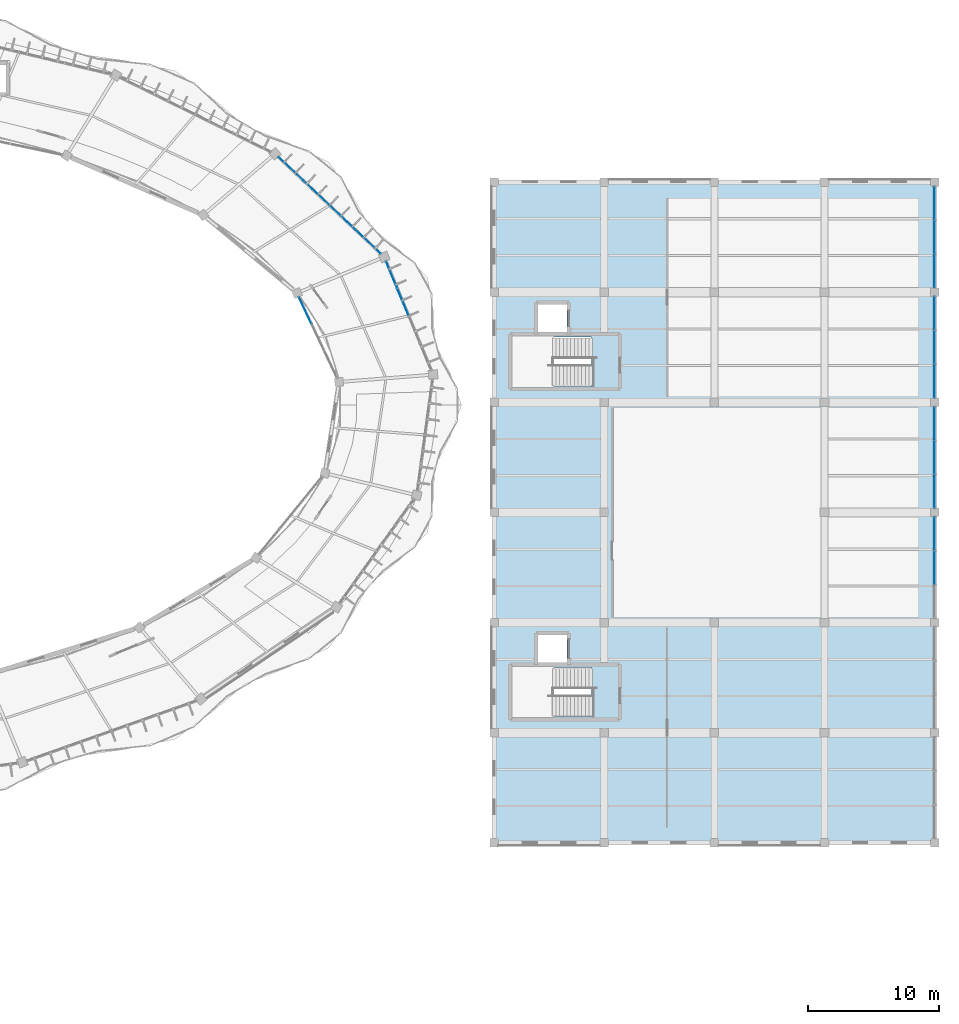
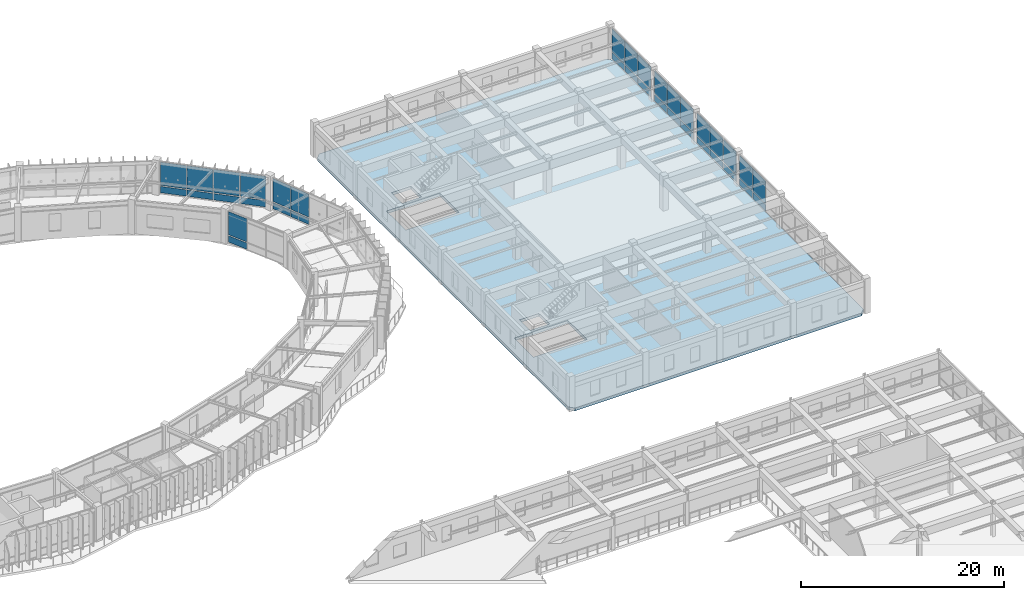
# One storey, part 108 of 138: 36 plates, 1 slab, 7 elements without a shape of their own.
"""IFC4 building model written with IfcOpenShell, lengths in metres."""

from ifc_helpers import new_model, si_unit, direction, frame, origin, origin_2d, place, context, subcontext, project, spatial, polyline, rectangle, outline, extrude, material, layer, layer_set, type_object, element, aggregate, save


model = new_model("IFC4")

# Units and contexts
model_context = context("Model", 3, precision=1e-05, world=origin(), true_north=direction((0.0, 1.0)))
body_context = subcontext(model_context, "Body", "Model", "MODEL_VIEW")
ifc_project = project(units=[si_unit("LENGTHUNIT", "METRE"), si_unit("AREAUNIT", "SQUARE_METRE"), si_unit("VOLUMEUNIT", "CUBIC_METRE"), si_unit("PLANEANGLEUNIT", "RADIAN"), si_unit("MASSUNIT", "GRAM", prefix="KILO"), si_unit("THERMODYNAMICTEMPERATUREUNIT", "KELVIN"), si_unit("POWERUNIT", "WATT")], contexts=[model_context])

# Site, building, storey
site_placement = place(None, origin())
site = spatial("IfcSite", under=ifc_project, at=site_placement, CompositionType="ELEMENT")
building_placement = place(site_placement, origin())
building = spatial("IfcBuilding", under=site, at=building_placement, Name="Darbajah Civic Hall", CompositionType="ELEMENT")
storey_placement = place(building_placement, frame((0.0, 0.0, 9.60009765625)))
storey = spatial("IfcBuildingStorey", under=building, at=storey_placement, Name="L02", CompositionType="ELEMENT", Elevation=9.60009765625)

# Curtain wall, plates
ifc_material_1 = material(Name="Anodised Bronze Aluminium and Low-E Glazing", Category="aluminium")
curtain_wall_type_1 = type_object("IfcCurtainWallType", Name="Unitised Curtain Wall CW-38 6800x3900", PredefinedType="USERDEFINED", material=ifc_material_1)
curtain_wall_1_placement = place(storey_placement, origin())
curtain_wall_1 = element("IfcCurtainWall", 1, at=curtain_wall_1_placement, inside=storey, type_object=curtain_wall_type_1, Name="L02 unitised curtain wall CW-V1I-L02-00", ObjectType="UNITISED CURTAIN WALL", PredefinedType="USERDEFINED")
ifc_material_2 = material(Name="Low-E Solar Control Double Glazing", Category="glass")
ifc_layer_1 = layer(ifc_material_2, 0.028076171875, Name="Low-E Solar Control Double Glazing")
ifc_layer_set_1 = layer_set([ifc_layer_1], Name="Low-E Solar Control Double Glazing")
plate_type_1 = type_object("IfcPlateType", Name="Solar Double Glazing 28mm", PredefinedType="CURTAIN_PANEL", material=ifc_layer_set_1)
plate_1_placement = place(storey_placement, frame((130.19189453125, 97.005859375, 0.119873046875), z_axis=(0.0, 0.0, 1.0), x_axis=(-0.426568739901, 0.904455145454, 0.0)))
plate_1 = element("IfcPlate", 2, at=plate_1_placement, type_object=plate_type_1, Name="CW-V1I-L02-00 glazed panel 3.1", PredefinedType="CURTAIN_PANEL", context=body_context, shape_type="SweptSolid", body=[
    extrude(rectangle(XDim=2.212158203125, YDim=0.028076171875, at=origin_2d()), origin(), (0.0, 0.0, 1.0), 0.77001953125),
])
plate_2_placement = place(storey_placement, frame((130.19189453125, 97.005859375, 1.009765625), z_axis=(0.0, 0.0, 1.0), x_axis=(-0.426568739901, 0.904455145454, 0.0)))
plate_2 = element("IfcPlate", 3, at=plate_2_placement, type_object=plate_type_1, Name="CW-V1I-L02-00 glazed panel 3.2", PredefinedType="CURTAIN_PANEL", context=body_context, shape_type="SweptSolid", body=[
    extrude(rectangle(XDim=2.212158203125, YDim=0.028076171875, at=origin_2d()), origin(), (0.0, 0.0, 1.0), 2.7900390625),
])
aggregate(curtain_wall_1, [plate_1, plate_2])

curtain_wall_type_2 = type_object("IfcCurtainWallType", Name="Unitised Curtain Wall CW-39 10800x3900", PredefinedType="USERDEFINED", material=ifc_material_1)
curtain_wall_2_placement = place(storey_placement, origin())
curtain_wall_2 = element("IfcCurtainWall", 4, at=curtain_wall_2_placement, inside=storey, type_object=curtain_wall_type_2, Name="L02 unitised curtain wall CW-V1O-L02-01", ObjectType="UNITISED CURTAIN WALL", PredefinedType="USERDEFINED")
plate_3_placement = place(storey_placement, frame((134.983642578125, 102.254150390625, 0.119873046875), z_axis=(0.0, 0.0, 1.0), x_axis=(-0.727173991201, 0.686453193248, 0.0)))
plate_3 = element("IfcPlate", 5, at=plate_3_placement, type_object=plate_type_1, Name="CW-V1O-L02-01 glazed panel 1.1", PredefinedType="CURTAIN_PANEL", context=body_context, shape_type="SweptSolid", body=[
    extrude(rectangle(XDim=2.6201171875, YDim=0.028076171875, at=origin_2d()), origin(), (0.0, 0.0, 1.0), 0.77001953125),
])
plate_4_placement = place(storey_placement, frame((134.983642578125, 102.254150390625, 1.009765625), z_axis=(0.0, 0.0, 1.0), x_axis=(-0.727173991201, 0.686453193248, 0.0)))
plate_4 = element("IfcPlate", 6, at=plate_4_placement, type_object=plate_type_1, Name="CW-V1O-L02-01 glazed panel 1.2", PredefinedType="CURTAIN_PANEL", context=body_context, shape_type="SweptSolid", body=[
    extrude(rectangle(XDim=2.6201171875, YDim=0.028076171875, at=origin_2d()), origin(), (0.0, 0.0, 1.0), 2.7900390625),
])
plate_5_placement = place(storey_placement, frame((133.02734375, 104.1005859375, 0.119873046875), z_axis=(0.0, 0.0, 1.0), x_axis=(-0.727173991201, 0.686453193248, 0.0)))
plate_5 = element("IfcPlate", 7, at=plate_5_placement, type_object=plate_type_1, Name="CW-V1O-L02-01 glazed panel 2.1", PredefinedType="CURTAIN_PANEL", context=body_context, shape_type="SweptSolid", body=[
    extrude(rectangle(XDim=2.6201171875, YDim=0.028076171875, at=origin_2d()), origin(), (0.0, 0.0, 1.0), 0.77001953125),
])
plate_6_placement = place(storey_placement, frame((133.02734375, 104.1005859375, 1.009765625), z_axis=(0.0, 0.0, 1.0), x_axis=(-0.727173991201, 0.686453193248, 0.0)))
plate_6 = element("IfcPlate", 8, at=plate_6_placement, type_object=plate_type_1, Name="CW-V1O-L02-01 glazed panel 2.2", PredefinedType="CURTAIN_PANEL", context=body_context, shape_type="SweptSolid", body=[
    extrude(rectangle(XDim=2.6201171875, YDim=0.028076171875, at=origin_2d()), origin(), (0.0, 0.0, 1.0), 2.7900390625),
])
plate_7_placement = place(storey_placement, frame((131.071044921875, 105.947265625, 0.119873046875), z_axis=(0.0, 0.0, 1.0), x_axis=(-0.727173991201, 0.686453193248, 0.0)))
plate_7 = element("IfcPlate", 9, at=plate_7_placement, type_object=plate_type_1, Name="CW-V1O-L02-01 glazed panel 3.1", PredefinedType="CURTAIN_PANEL", context=body_context, shape_type="SweptSolid", body=[
    extrude(rectangle(XDim=2.6201171875, YDim=0.028076171875, at=origin_2d()), origin(), (0.0, 0.0, 1.0), 0.77001953125),
])
plate_8_placement = place(storey_placement, frame((131.071044921875, 105.947265625, 1.009765625), z_axis=(0.0, 0.0, 1.0), x_axis=(-0.727173991201, 0.686453193248, 0.0)))
plate_8 = element("IfcPlate", 10, at=plate_8_placement, type_object=plate_type_1, Name="CW-V1O-L02-01 glazed panel 3.2", PredefinedType="CURTAIN_PANEL", context=body_context, shape_type="SweptSolid", body=[
    extrude(rectangle(XDim=2.6201171875, YDim=0.028076171875, at=origin_2d()), origin(), (0.0, 0.0, 1.0), 2.7900390625),
])
plate_9_placement = place(storey_placement, frame((129.11474609375, 107.793701171875, 0.119873046875), z_axis=(0.0, 0.0, 1.0), x_axis=(-0.727173991201, 0.686453193248, 0.0)))
plate_9 = element("IfcPlate", 11, at=plate_9_placement, type_object=plate_type_1, Name="CW-V1O-L02-01 glazed panel 4.1", PredefinedType="CURTAIN_PANEL", context=body_context, shape_type="SweptSolid", body=[
    extrude(rectangle(XDim=2.6201171875, YDim=0.028076171875, at=origin_2d()), origin(), (0.0, 0.0, 1.0), 0.77001953125),
])
plate_10_placement = place(storey_placement, frame((129.11474609375, 107.793701171875, 1.009765625), z_axis=(0.0, 0.0, 1.0), x_axis=(-0.727173991201, 0.686453193248, 0.0)))
plate_10 = element("IfcPlate", 12, at=plate_10_placement, type_object=plate_type_1, Name="CW-V1O-L02-01 glazed panel 4.2", PredefinedType="CURTAIN_PANEL", context=body_context, shape_type="SweptSolid", body=[
    extrude(rectangle(XDim=2.6201171875, YDim=0.028076171875, at=origin_2d()), origin(), (0.0, 0.0, 1.0), 2.7900390625),
])
aggregate(curtain_wall_2, [plate_3, plate_4, plate_5, plate_6, plate_7, plate_8, plate_9, plate_10])

curtain_wall_type_3 = type_object("IfcCurtainWallType", Name="Unitised Curtain Wall CW-37 9000x3900", PredefinedType="USERDEFINED", material=ifc_material_1)
curtain_wall_3_placement = place(storey_placement, origin())
curtain_wall_3 = element("IfcCurtainWall", 13, at=curtain_wall_3_placement, inside=storey, type_object=curtain_wall_type_3, Name="L02 unitised curtain wall CW-V1O-L02-00", ObjectType="UNITISED CURTAIN WALL", PredefinedType="USERDEFINED")
ifc_layer_2 = layer(ifc_material_2, 0.031982421875, Name="Low-E Solar Control Double Glazing")
ifc_layer_set_2 = layer_set([ifc_layer_2], Name="Low-E Solar Control Double Glazing")
plate_type_2 = type_object("IfcPlateType", Name="Solar Double Glazing 32mm", PredefinedType="CURTAIN_PANEL", material=ifc_layer_set_2)
plate_11_placement = place(storey_placement, frame((137.6484375, 97.642333984375, 0.14013671875), z_axis=(0.0, 0.0, 1.0), x_axis=(-0.383328328644, 0.923612143954, 0.0)))
plate_11 = element("IfcPlate", 14, at=plate_11_placement, type_object=plate_type_2, Name="CW-V1O-L02-00 glazed panel 3.1", PredefinedType="CURTAIN_PANEL", context=body_context, shape_type="SweptSolid", body=[
    extrude(rectangle(XDim=2.17822265625, YDim=0.031982421875, at=origin_2d()), origin(), (0.0, 0.0, 1.0), 0.739990234375),
])
plate_12_placement = place(storey_placement, frame((137.6484375, 97.642333984375, 1.02001953125), z_axis=(0.0, 0.0, 1.0), x_axis=(-0.383328328644, 0.923612143954, 0.0)))
plate_12 = element("IfcPlate", 15, at=plate_12_placement, type_object=plate_type_2, Name="CW-V1O-L02-00 glazed panel 3.2", PredefinedType="CURTAIN_PANEL", context=body_context, shape_type="SweptSolid", body=[
    extrude(rectangle(XDim=2.17822265625, YDim=0.031982421875, at=origin_2d()), origin(), (0.0, 0.0, 1.0), 2.760009765625),
])
plate_13_placement = place(storey_placement, frame((136.78466796875, 99.7236328125, 0.14013671875), z_axis=(0.0, 0.0, 1.0), x_axis=(-0.383328328644, 0.923612143954, 0.0)))
plate_13 = element("IfcPlate", 16, at=plate_13_placement, type_object=plate_type_2, Name="CW-V1O-L02-00 glazed panel 4.1", PredefinedType="CURTAIN_PANEL", context=body_context, shape_type="SweptSolid", body=[
    extrude(rectangle(XDim=2.17822265625, YDim=0.031982421875, at=origin_2d()), origin(), (0.0, 0.0, 1.0), 0.739990234375),
])
plate_14_placement = place(storey_placement, frame((136.78466796875, 99.7236328125, 1.02001953125), z_axis=(0.0, 0.0, 1.0), x_axis=(-0.383328328644, 0.923612143954, 0.0)))
plate_14 = element("IfcPlate", 17, at=plate_14_placement, type_object=plate_type_2, Name="CW-V1O-L02-00 glazed panel 4.2", PredefinedType="CURTAIN_PANEL", context=body_context, shape_type="SweptSolid", body=[
    extrude(rectangle(XDim=2.17822265625, YDim=0.031982421875, at=origin_2d()), origin(), (0.0, 0.0, 1.0), 2.760009765625),
])
aggregate(curtain_wall_3, [plate_11, plate_12, plate_13, plate_14])

curtain_wall_type_4 = type_object("IfcCurtainWallType", Name="Unitised Curtain Wall CW-97 7700x3850", PredefinedType="USERDEFINED", material=ifc_material_1)
curtain_wall_4_placement = place(storey_placement, origin())
curtain_wall_4 = element("IfcCurtainWall", 18, at=curtain_wall_4_placement, inside=storey, type_object=curtain_wall_type_4, Name="L02 unitised curtain wall CW-V4-L02-S1-B2", ObjectType="UNITISED CURTAIN WALL", PredefinedType="USERDEFINED")
plate_15_placement = place(storey_placement, frame((178.199951171875, 77.39990234375, 0.119873046875), z_axis=(0.0, 0.0, 1.0), x_axis=(0.0, 1.0, 0.0)))
plate_15 = element("IfcPlate", 19, at=plate_15_placement, type_object=plate_type_2, Name="CW-V4-L02-S1-B2 glazed panel 2.1", PredefinedType="CURTAIN_PANEL", context=body_context, shape_type="SweptSolid", body=[
    extrude(rectangle(XDim=2.511962890625, YDim=0.031982421875, at=origin_2d()), origin(), (0.0, 0.0, 1.0), 0.77001953125),
])
plate_16_placement = place(storey_placement, frame((178.199951171875, 77.39990234375, 1.010009765625), z_axis=(0.0, 0.0, 1.0), x_axis=(0.0, 1.0, 0.0)))
plate_16 = element("IfcPlate", 20, at=plate_16_placement, type_object=plate_type_2, Name="CW-V4-L02-S1-B2 glazed panel 2.2", PredefinedType="CURTAIN_PANEL", context=body_context, shape_type="SweptSolid", body=[
    extrude(rectangle(XDim=2.511962890625, YDim=0.031982421875, at=origin_2d()), origin(), (0.0, 0.0, 1.0), 2.72998046875),
])
plate_17_placement = place(storey_placement, frame((178.199951171875, 79.98193359375, 0.119873046875), z_axis=(0.0, 0.0, 1.0), x_axis=(0.0, 1.0, 0.0)))
plate_17 = element("IfcPlate", 21, at=plate_17_placement, type_object=plate_type_2, Name="CW-V4-L02-S1-B2 glazed panel 3.1", PredefinedType="CURTAIN_PANEL", context=body_context, shape_type="SweptSolid", body=[
    extrude(rectangle(XDim=2.511962890625, YDim=0.031982421875, at=origin_2d()), origin(), (0.0, 0.0, 1.0), 0.77001953125),
])
plate_18_placement = place(storey_placement, frame((178.199951171875, 79.98193359375, 1.010009765625), z_axis=(0.0, 0.0, 1.0), x_axis=(0.0, 1.0, 0.0)))
plate_18 = element("IfcPlate", 22, at=plate_18_placement, type_object=plate_type_2, Name="CW-V4-L02-S1-B2 glazed panel 3.2", PredefinedType="CURTAIN_PANEL", context=body_context, shape_type="SweptSolid", body=[
    extrude(rectangle(XDim=2.511962890625, YDim=0.031982421875, at=origin_2d()), origin(), (0.0, 0.0, 1.0), 2.72998046875),
])
aggregate(curtain_wall_4, [plate_15, plate_16, plate_17, plate_18])

curtain_wall_5_placement = place(storey_placement, origin())
curtain_wall_5 = element("IfcCurtainWall", 23, at=curtain_wall_5_placement, inside=storey, type_object=curtain_wall_type_4, Name="L02 unitised curtain wall CW-V4-L02-S1-B3", ObjectType="UNITISED CURTAIN WALL", PredefinedType="USERDEFINED")
plate_19_placement = place(storey_placement, frame((178.199951171875, 83.218017578125, 0.119873046875), z_axis=(0.0, 0.0, 1.0), x_axis=(0.0, 1.0, 0.0)))
plate_19 = element("IfcPlate", 24, at=plate_19_placement, type_object=plate_type_2, Name="CW-V4-L02-S1-B3 glazed panel 1.1", PredefinedType="CURTAIN_PANEL", context=body_context, shape_type="SweptSolid", body=[
    extrude(rectangle(XDim=2.511962890625, YDim=0.031982421875, at=origin_2d()), origin(), (0.0, 0.0, 1.0), 0.77001953125),
])
plate_20_placement = place(storey_placement, frame((178.199951171875, 83.218017578125, 1.010009765625), z_axis=(0.0, 0.0, 1.0), x_axis=(0.0, 1.0, 0.0)))
plate_20 = element("IfcPlate", 25, at=plate_20_placement, type_object=plate_type_2, Name="CW-V4-L02-S1-B3 glazed panel 1.2", PredefinedType="CURTAIN_PANEL", context=body_context, shape_type="SweptSolid", body=[
    extrude(rectangle(XDim=2.511962890625, YDim=0.031982421875, at=origin_2d()), origin(), (0.0, 0.0, 1.0), 2.72998046875),
])
plate_21_placement = place(storey_placement, frame((178.199951171875, 85.800048828125, 0.119873046875), z_axis=(0.0, 0.0, 1.0), x_axis=(0.0, 1.0, 0.0)))
plate_21 = element("IfcPlate", 26, at=plate_21_placement, type_object=plate_type_2, Name="CW-V4-L02-S1-B3 glazed panel 2.1", PredefinedType="CURTAIN_PANEL", context=body_context, shape_type="SweptSolid", body=[
    extrude(rectangle(XDim=2.511962890625, YDim=0.031982421875, at=origin_2d()), origin(), (0.0, 0.0, 1.0), 0.77001953125),
])
plate_22_placement = place(storey_placement, frame((178.199951171875, 85.800048828125, 1.010009765625), z_axis=(0.0, 0.0, 1.0), x_axis=(0.0, 1.0, 0.0)))
plate_22 = element("IfcPlate", 27, at=plate_22_placement, type_object=plate_type_2, Name="CW-V4-L02-S1-B3 glazed panel 2.2", PredefinedType="CURTAIN_PANEL", context=body_context, shape_type="SweptSolid", body=[
    extrude(rectangle(XDim=2.511962890625, YDim=0.031982421875, at=origin_2d()), origin(), (0.0, 0.0, 1.0), 2.72998046875),
])
plate_23_placement = place(storey_placement, frame((178.199951171875, 88.382080078125, 0.119873046875), z_axis=(0.0, 0.0, 1.0), x_axis=(0.0, 1.0, 0.0)))
plate_23 = element("IfcPlate", 28, at=plate_23_placement, type_object=plate_type_2, Name="CW-V4-L02-S1-B3 glazed panel 3.1", PredefinedType="CURTAIN_PANEL", context=body_context, shape_type="SweptSolid", body=[
    extrude(rectangle(XDim=2.511962890625, YDim=0.031982421875, at=origin_2d()), origin(), (0.0, 0.0, 1.0), 0.77001953125),
])
plate_24_placement = place(storey_placement, frame((178.199951171875, 88.382080078125, 1.010009765625), z_axis=(0.0, 0.0, 1.0), x_axis=(0.0, 1.0, 0.0)))
plate_24 = element("IfcPlate", 29, at=plate_24_placement, type_object=plate_type_2, Name="CW-V4-L02-S1-B3 glazed panel 3.2", PredefinedType="CURTAIN_PANEL", context=body_context, shape_type="SweptSolid", body=[
    extrude(rectangle(XDim=2.511962890625, YDim=0.031982421875, at=origin_2d()), origin(), (0.0, 0.0, 1.0), 2.72998046875),
])
aggregate(curtain_wall_5, [plate_19, plate_20, plate_21, plate_22, plate_23, plate_24])

curtain_wall_6_placement = place(storey_placement, origin())
curtain_wall_6 = element("IfcCurtainWall", 30, at=curtain_wall_6_placement, inside=storey, type_object=curtain_wall_type_4, Name="L02 unitised curtain wall CW-V4-L02-S1-B4", ObjectType="UNITISED CURTAIN WALL", PredefinedType="USERDEFINED")
plate_25_placement = place(storey_placement, frame((178.199951171875, 91.617919921875, 0.119873046875), z_axis=(0.0, 0.0, 1.0), x_axis=(0.0, 1.0, 0.0)))
plate_25 = element("IfcPlate", 31, at=plate_25_placement, type_object=plate_type_2, Name="CW-V4-L02-S1-B4 glazed panel 1.1", PredefinedType="CURTAIN_PANEL", context=body_context, shape_type="SweptSolid", body=[
    extrude(rectangle(XDim=2.511962890625, YDim=0.031982421875, at=origin_2d()), origin(), (0.0, 0.0, 1.0), 0.77001953125),
])
plate_26_placement = place(storey_placement, frame((178.199951171875, 91.617919921875, 1.010009765625), z_axis=(0.0, 0.0, 1.0), x_axis=(0.0, 1.0, 0.0)))
plate_26 = element("IfcPlate", 32, at=plate_26_placement, type_object=plate_type_2, Name="CW-V4-L02-S1-B4 glazed panel 1.2", PredefinedType="CURTAIN_PANEL", context=body_context, shape_type="SweptSolid", body=[
    extrude(rectangle(XDim=2.511962890625, YDim=0.031982421875, at=origin_2d()), origin(), (0.0, 0.0, 1.0), 2.72998046875),
])
plate_27_placement = place(storey_placement, frame((178.199951171875, 94.199951171875, 0.119873046875), z_axis=(0.0, 0.0, 1.0), x_axis=(0.0, 1.0, 0.0)))
plate_27 = element("IfcPlate", 33, at=plate_27_placement, type_object=plate_type_2, Name="CW-V4-L02-S1-B4 glazed panel 2.1", PredefinedType="CURTAIN_PANEL", context=body_context, shape_type="SweptSolid", body=[
    extrude(rectangle(XDim=2.511962890625, YDim=0.031982421875, at=origin_2d()), origin(), (0.0, 0.0, 1.0), 0.77001953125),
])
plate_28_placement = place(storey_placement, frame((178.199951171875, 94.199951171875, 1.010009765625), z_axis=(0.0, 0.0, 1.0), x_axis=(0.0, 1.0, 0.0)))
plate_28 = element("IfcPlate", 34, at=plate_28_placement, type_object=plate_type_2, Name="CW-V4-L02-S1-B4 glazed panel 2.2", PredefinedType="CURTAIN_PANEL", context=body_context, shape_type="SweptSolid", body=[
    extrude(rectangle(XDim=2.511962890625, YDim=0.031982421875, at=origin_2d()), origin(), (0.0, 0.0, 1.0), 2.72998046875),
])
plate_29_placement = place(storey_placement, frame((178.199951171875, 96.781982421875, 0.119873046875), z_axis=(0.0, 0.0, 1.0), x_axis=(0.0, 1.0, 0.0)))
plate_29 = element("IfcPlate", 35, at=plate_29_placement, type_object=plate_type_2, Name="CW-V4-L02-S1-B4 glazed panel 3.1", PredefinedType="CURTAIN_PANEL", context=body_context, shape_type="SweptSolid", body=[
    extrude(rectangle(XDim=2.511962890625, YDim=0.031982421875, at=origin_2d()), origin(), (0.0, 0.0, 1.0), 0.77001953125),
])
plate_30_placement = place(storey_placement, frame((178.199951171875, 96.781982421875, 1.010009765625), z_axis=(0.0, 0.0, 1.0), x_axis=(0.0, 1.0, 0.0)))
plate_30 = element("IfcPlate", 36, at=plate_30_placement, type_object=plate_type_2, Name="CW-V4-L02-S1-B4 glazed panel 3.2", PredefinedType="CURTAIN_PANEL", context=body_context, shape_type="SweptSolid", body=[
    extrude(rectangle(XDim=2.511962890625, YDim=0.031982421875, at=origin_2d()), origin(), (0.0, 0.0, 1.0), 2.72998046875),
])
aggregate(curtain_wall_6, [plate_25, plate_26, plate_27, plate_28, plate_29, plate_30])

curtain_wall_7_placement = place(storey_placement, origin())
curtain_wall_7 = element("IfcCurtainWall", 37, at=curtain_wall_7_placement, inside=storey, type_object=curtain_wall_type_4, Name="L02 unitised curtain wall CW-V4-L02-S1-B5", ObjectType="UNITISED CURTAIN WALL", PredefinedType="USERDEFINED")
plate_31_placement = place(storey_placement, frame((178.199951171875, 100.01806640625, 0.119873046875), z_axis=(0.0, 0.0, 1.0), x_axis=(0.0, 1.0, 0.0)))
plate_31 = element("IfcPlate", 38, at=plate_31_placement, type_object=plate_type_2, Name="CW-V4-L02-S1-B5 glazed panel 1.1", PredefinedType="CURTAIN_PANEL", context=body_context, shape_type="SweptSolid", body=[
    extrude(rectangle(XDim=2.511962890625, YDim=0.031982421875, at=origin_2d()), origin(), (0.0, 0.0, 1.0), 0.77001953125),
])
plate_32_placement = place(storey_placement, frame((178.199951171875, 100.01806640625, 1.010009765625), z_axis=(0.0, 0.0, 1.0), x_axis=(0.0, 1.0, 0.0)))
plate_32 = element("IfcPlate", 39, at=plate_32_placement, type_object=plate_type_2, Name="CW-V4-L02-S1-B5 glazed panel 1.2", PredefinedType="CURTAIN_PANEL", context=body_context, shape_type="SweptSolid", body=[
    extrude(rectangle(XDim=2.511962890625, YDim=0.031982421875, at=origin_2d()), origin(), (0.0, 0.0, 1.0), 2.72998046875),
])
plate_33_placement = place(storey_placement, frame((178.199951171875, 102.60009765625, 0.119873046875), z_axis=(0.0, 0.0, 1.0), x_axis=(0.0, 1.0, 0.0)))
plate_33 = element("IfcPlate", 40, at=plate_33_placement, type_object=plate_type_2, Name="CW-V4-L02-S1-B5 glazed panel 2.1", PredefinedType="CURTAIN_PANEL", context=body_context, shape_type="SweptSolid", body=[
    extrude(rectangle(XDim=2.511962890625, YDim=0.031982421875, at=origin_2d()), origin(), (0.0, 0.0, 1.0), 0.77001953125),
])
plate_34_placement = place(storey_placement, frame((178.199951171875, 102.60009765625, 1.010009765625), z_axis=(0.0, 0.0, 1.0), x_axis=(0.0, 1.0, 0.0)))
plate_34 = element("IfcPlate", 41, at=plate_34_placement, type_object=plate_type_2, Name="CW-V4-L02-S1-B5 glazed panel 2.2", PredefinedType="CURTAIN_PANEL", context=body_context, shape_type="SweptSolid", body=[
    extrude(rectangle(XDim=2.511962890625, YDim=0.031982421875, at=origin_2d()), origin(), (0.0, 0.0, 1.0), 2.72998046875),
])
plate_35_placement = place(storey_placement, frame((178.199951171875, 105.181884765625, 0.119873046875), z_axis=(0.0, 0.0, 1.0), x_axis=(0.0, 1.0, 0.0)))
plate_35 = element("IfcPlate", 42, at=plate_35_placement, type_object=plate_type_2, Name="CW-V4-L02-S1-B5 glazed panel 3.1", PredefinedType="CURTAIN_PANEL", context=body_context, shape_type="SweptSolid", body=[
    extrude(rectangle(XDim=2.511962890625, YDim=0.031982421875, at=origin_2d()), origin(), (0.0, 0.0, 1.0), 0.77001953125),
])
plate_36_placement = place(storey_placement, frame((178.199951171875, 105.181884765625, 1.010009765625), z_axis=(0.0, 0.0, 1.0), x_axis=(0.0, 1.0, 0.0)))
plate_36 = element("IfcPlate", 43, at=plate_36_placement, type_object=plate_type_2, Name="CW-V4-L02-S1-B5 glazed panel 3.2", PredefinedType="CURTAIN_PANEL", context=body_context, shape_type="SweptSolid", body=[
    extrude(rectangle(XDim=2.511962890625, YDim=0.031982421875, at=origin_2d()), origin(), (0.0, 0.0, 1.0), 2.72998046875),
])
aggregate(curtain_wall_7, [plate_31, plate_32, plate_33, plate_34, plate_35, plate_36])

# Slab
ifc_material_3 = material(Name="Concrete C45/55", Category="concrete")
ifc_layer_3 = layer(ifc_material_3, 0.340087890625, Name="Concrete C45/55")
ifc_layer_set_3 = layer_set([ifc_layer_3], Name="Concrete C45/55")
slab_type = type_object("IfcSlabType", Name="Structural Floor Slab 340mm", PredefinedType="FLOOR", material=ifc_layer_set_3)
slab_placement = place(storey_placement, frame((0.0, 0.0, -0.340087890625)))
element("IfcSlab", 44, at=slab_placement, inside=storey, type_object=slab_type, Name="L02 Members Library floor slab", PredefinedType="FLOOR", context=body_context, shape_type="SweptSolid", body=[
    extrude(outline(polyline([(145.10009765625, 56.39990234375), (177.699951171875, 56.39990234375), (178.199951171875, 56.89990234375), (178.199951171875, 106.300048828125), (177.699951171875, 106.800048828125), (145.10009765625, 106.800048828125), (144.60009765625, 106.300048828125), (144.60009765625, 56.89990234375), (145.10009765625, 56.39990234375)]), holes=[polyline([(145.93994140625, 94.97998046875), (152.02001953125, 94.97998046875), (152.02001953125, 91.219970703125), (145.93994140625, 91.219970703125), (145.93994140625, 94.97998046875)]), polyline([(147.949951171875, 97.449951171875), (150.14990234375, 97.449951171875), (150.14990234375, 95.35009765625), (147.949951171875, 95.35009765625), (147.949951171875, 97.449951171875)]), polyline([(145.93994140625, 69.780029296875), (152.02001953125, 69.780029296875), (152.02001953125, 66.02001953125), (145.93994140625, 66.02001953125), (145.93994140625, 69.780029296875)]), polyline([(147.949951171875, 72.25), (150.14990234375, 72.25), (150.14990234375, 70.14990234375), (147.949951171875, 70.14990234375), (147.949951171875, 72.25)])]), origin(), (0.0, 0.0, 1.0), 0.340087890625),
])

save(model, "model.ifc")
